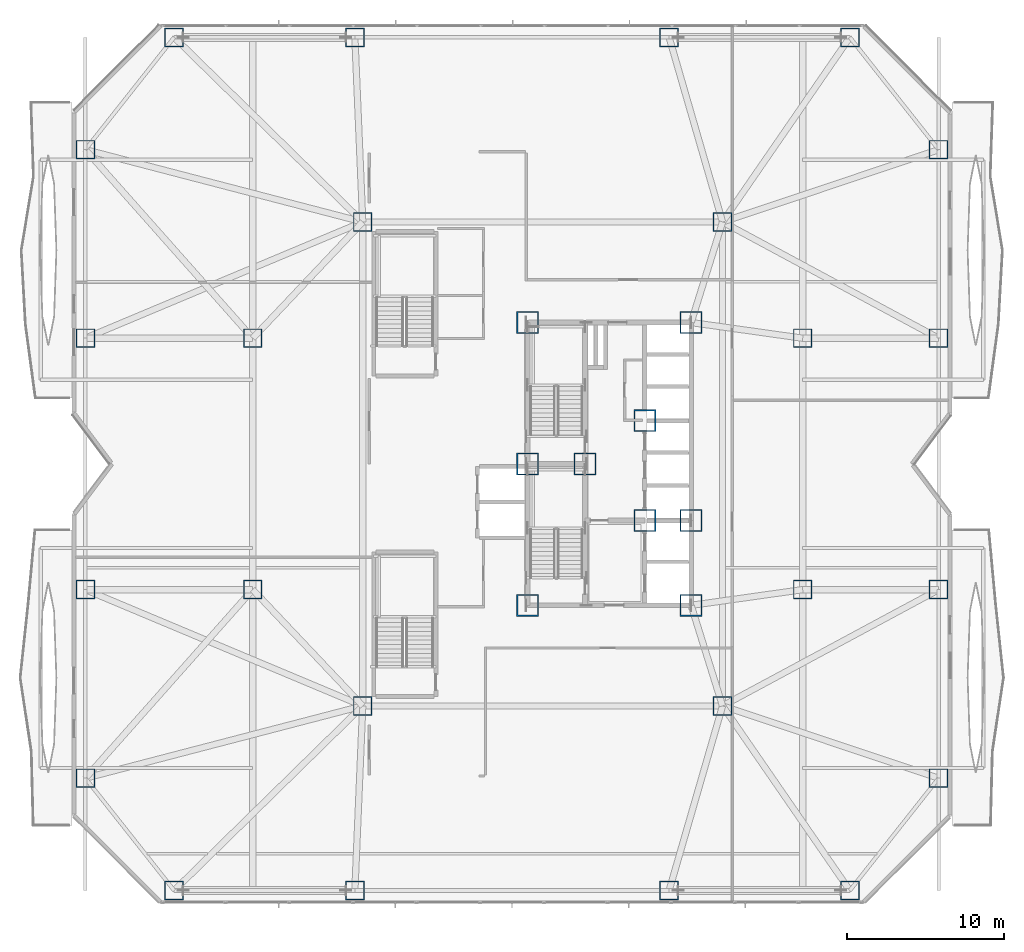
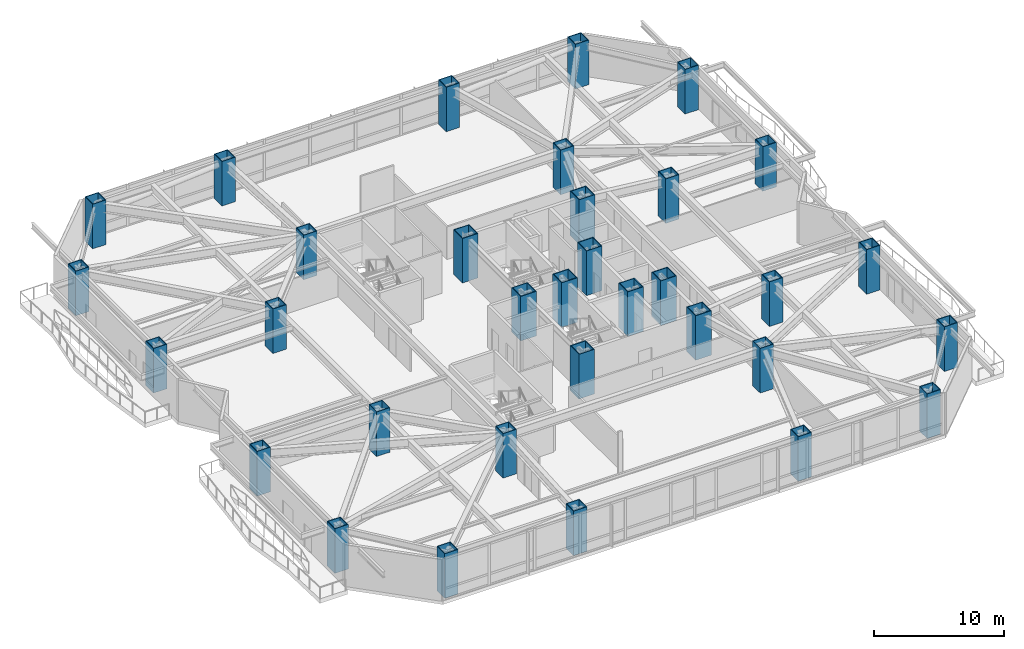
# One storey, part 1 of 32: 33 columns.
"""IFC4 building model written with IfcOpenShell, lengths in metres."""

from ifc_helpers import new_model, si_unit, direction, frame, origin, origin_2d, place, context, subcontext, project, spatial, hollow_rectangle, extrude, material, material_profile, profile_set, type_object, element, save


model = new_model("IFC4")

# Units and contexts
model_context = context("Model", 3, precision=1e-05, world=origin(), true_north=direction((0.0, 1.0)))
body_context = subcontext(model_context, "Body", "Model", "MODEL_VIEW")
ifc_project = project(units=[si_unit("LENGTHUNIT", "METRE"), si_unit("AREAUNIT", "SQUARE_METRE"), si_unit("VOLUMEUNIT", "CUBIC_METRE"), si_unit("PLANEANGLEUNIT", "RADIAN"), si_unit("MASSUNIT", "GRAM", prefix="KILO")], contexts=[model_context])

# Site, building, storey
site_placement = place(None, origin())
site = spatial("IfcSite", under=ifc_project, at=site_placement, CompositionType="ELEMENT")
building_placement = place(site_placement, origin())
building = spatial("IfcBuilding", under=site, at=building_placement, Name="Khamvora Tower", CompositionType="ELEMENT")
storey_placement = place(building_placement, frame((0.0, 0.0, 12.0)))
storey = spatial("IfcBuildingStorey", under=building, at=storey_placement, Name="L02", CompositionType="ELEMENT", Elevation=12.0)

# Columns
ifc_material = material(Name="Steel S460", Category="steel")
ifc_material_profile_1 = material_profile(ifc_material, hollow_rectangle(XDim=1.199951171875, YDim=1.199951171875, WallThickness=0.06005859375, at=origin_2d()), Name="BOX1200x1200x60")
ifc_profile_set_1 = profile_set([ifc_material_profile_1], Name="Steel S460")
column_type_1 = type_object("IfcColumnType", Name="COL-BOX1200", PredefinedType="COLUMN", material=ifc_profile_set_1)
for number, where, z_axis, x_axis, name in (
    (1, (6.5, 0.85009765625, 0.0), (0.0, 0.0, 1.0), (1.0, 0.0, 0.0), "L02 structural frame column P01"),
    (2, (18.0, 0.85009765625, 0.0), (0.0, 0.0, 1.0), (1.0, 0.0, 0.0), "L02 structural frame column P02"),
    (3, (38.0, 0.85009765625, 0.0), (0.0, 0.0, 1.0), (1.0, 0.0, 0.0), "L02 structural frame column P03"),
    (4, (49.5, 0.85009765625, 0.0), (0.0, 0.0, 1.0), (1.0, 0.0, 0.0), "L02 structural frame column P04"),
    (5, (6.5, 55.14990234375, 0.0), (0.0, 0.0, 1.0), (1.0, 0.0, 0.0), "L02 structural frame column P05"),
    (6, (18.0, 55.14990234375, 0.0), (0.0, 0.0, 1.0), (1.0, 0.0, 0.0), "L02 structural frame column P06"),
    (7, (38.0, 55.14990234375, 0.0), (0.0, 0.0, 1.0), (1.0, 0.0, 0.0), "L02 structural frame column P07"),
    (8, (49.5, 55.14990234375, 0.0), (0.0, 0.0, 1.0), (1.0, 0.0, 0.0), "L02 structural frame column P08"),
    (9, (0.85009765625, 8.0, 0.0), (0.0, 0.0, 1.0), (1.0, 0.0, 0.0), "L02 structural frame column P09"),
    (10, (0.85009765625, 20.0, 0.0), (0.0, 0.0, 1.0), (1.0, 0.0, 0.0), "L02 structural frame column P10"),
    (11, (0.85009765625, 36.0, 0.0), (0.0, 0.0, 1.0), (1.0, 0.0, 0.0), "L02 structural frame column P11"),
    (12, (0.85009765625, 48.0, 0.0), (0.0, 0.0, 1.0), (1.0, 0.0, 0.0), "L02 structural frame column P12"),
    (13, (55.14990234375, 8.0, 0.0), (0.0, 0.0, 1.0), (1.0, 0.0, 0.0), "L02 structural frame column P13"),
    (14, (55.14990234375, 20.0, 0.0), (0.0, 0.0, 1.0), (1.0, 0.0, 0.0), "L02 structural frame column P14"),
    (15, (55.14990234375, 36.0, 0.0), (0.0, 0.0, 1.0), (1.0, 0.0, 0.0), "L02 structural frame column P15"),
    (16, (55.14990234375, 48.0, 0.0), (0.0, 0.0, 1.0), (1.0, 0.0, 0.0), "L02 structural frame column P16"),
    (17, (18.5, 12.60009765625, 0.0), (0.0, 0.0, 1.0), (1.0, 0.0, 0.0), "L02 structural frame column P17"),
    (18, (41.39990234375, 12.60009765625, 0.0), (0.0, 0.0, 1.0), (1.0, 0.0, 0.0), "L02 structural frame column P18"),
    (19, (18.5, 43.39990234375, 0.0), (0.0, 0.0, 1.0), (1.0, 0.0, 0.0), "L02 structural frame column P19"),
    (20, (41.39990234375, 43.39990234375, 0.0), (0.0, 0.0, 1.0), (1.0, 0.0, 0.0), "L02 structural frame column P20"),
    (21, (11.5, 20.0, 0.0), (0.0, 0.0, 1.0), (1.0, 0.0, 0.0), "L02 structural frame column P21"),
    (22, (11.5, 36.0, 0.0), (0.0, 0.0, 1.0), (1.0, 0.0, 0.0), "L02 structural frame column P22"),
    (23, (46.5, 20.0, 0.0), (0.0, 0.0, 1.0), (1.0, 0.0, 0.0), "L02 structural frame column P23"),
    (24, (46.5, 36.0, 0.0), (0.0, 0.0, 1.0), (1.0, 0.0, 0.0), "L02 structural frame column P24"),
):
    element("IfcColumn", number, at=place(storey_placement, frame(where, z_axis=z_axis, x_axis=x_axis)), inside=storey, type_object=column_type_1, Name=name, PredefinedType="COLUMN", context=body_context, shape_type="SweptSolid", body=[
        extrude(hollow_rectangle(XDim=1.199951171875, YDim=1.199951171875, WallThickness=0.06005859375, at=origin_2d()), origin(), (0.0, 0.0, 1.0), 4.199951171875),
    ])
ifc_material_profile_2 = material_profile(ifc_material, hollow_rectangle(XDim=1.39990234375, YDim=1.39990234375, WallThickness=0.070068359375, at=origin_2d()), Name="BOX1400x1400x70")
ifc_profile_set_2 = profile_set([ifc_material_profile_2], Name="Steel S460")
column_type_2 = type_object("IfcColumnType", Name="COL-BOX1400", PredefinedType="COLUMN", material=ifc_profile_set_2)
for number, where, z_axis, x_axis, name in (
    (25, (29.0, 19.0, 0.0), (0.0, 0.0, 1.0), (1.0, 0.0, 0.0), "L02 plumb core spine column SC1"),
    (26, (32.64990234375, 28.0, 0.0), (0.0, 0.0, 1.0), (1.0, 0.0, 0.0), "L02 plumb core spine column SC2"),
    (27, (39.39990234375, 19.0, 0.0), (0.0, 0.0, 1.0), (1.0, 0.0, 0.0), "L02 plumb core spine column SC3"),
    (28, (29.0, 28.0, 0.0), (0.0, 0.0, 1.0), (1.0, 0.0, 0.0), "L02 plumb core spine column SC4"),
    (29, (36.449951171875, 24.39990234375, 0.0), (0.0, 0.0, 1.0), (1.0, 0.0, 0.0), "L02 plumb core spine column SC5"),
    (30, (39.39990234375, 24.39990234375, 0.0), (0.0, 0.0, 1.0), (1.0, 0.0, 0.0), "L02 plumb core spine column SC6"),
    (31, (29.0, 37.0, 0.0), (0.0, 0.0, 1.0), (1.0, 0.0, 0.0), "L02 plumb core spine column SC7"),
    (32, (36.449951171875, 30.75, 0.0), (0.0, 0.0, 1.0), (1.0, 0.0, 0.0), "L02 plumb core spine column SC8"),
    (33, (39.39990234375, 37.0, 0.0), (0.0, 0.0, 1.0), (1.0, 0.0, 0.0), "L02 plumb core spine column SC9"),
):
    element("IfcColumn", number, at=place(storey_placement, frame(where, z_axis=z_axis, x_axis=x_axis)), inside=storey, type_object=column_type_2, Name=name, PredefinedType="COLUMN", context=body_context, shape_type="SweptSolid", body=[
        extrude(hollow_rectangle(XDim=1.39990234375, YDim=1.39990234375, WallThickness=0.070068359375, at=origin_2d()), origin(), (0.0, 0.0, 1.0), 4.199951171875),
    ])

save(model, "model.ifc")
